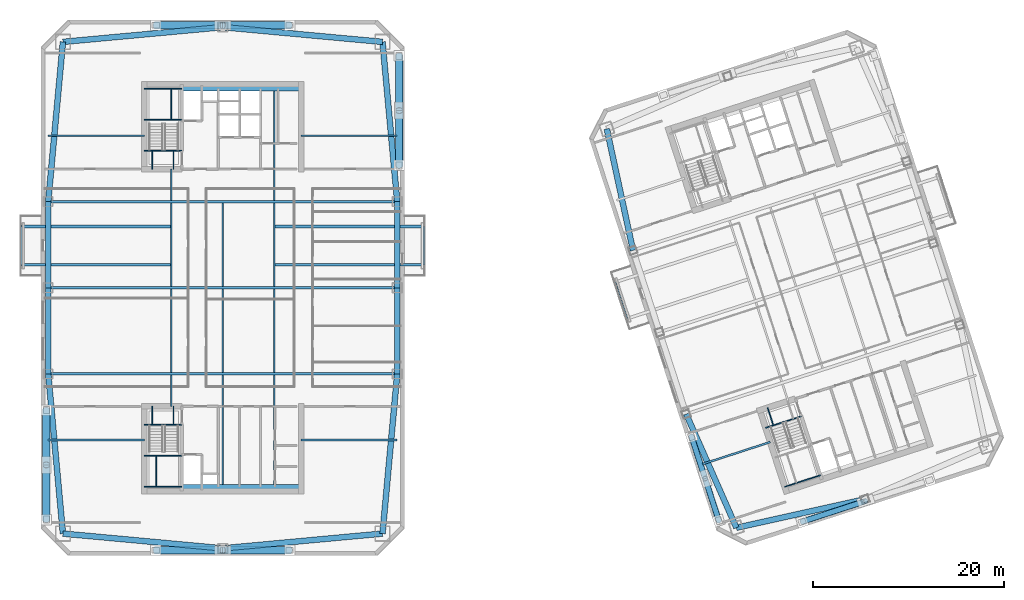
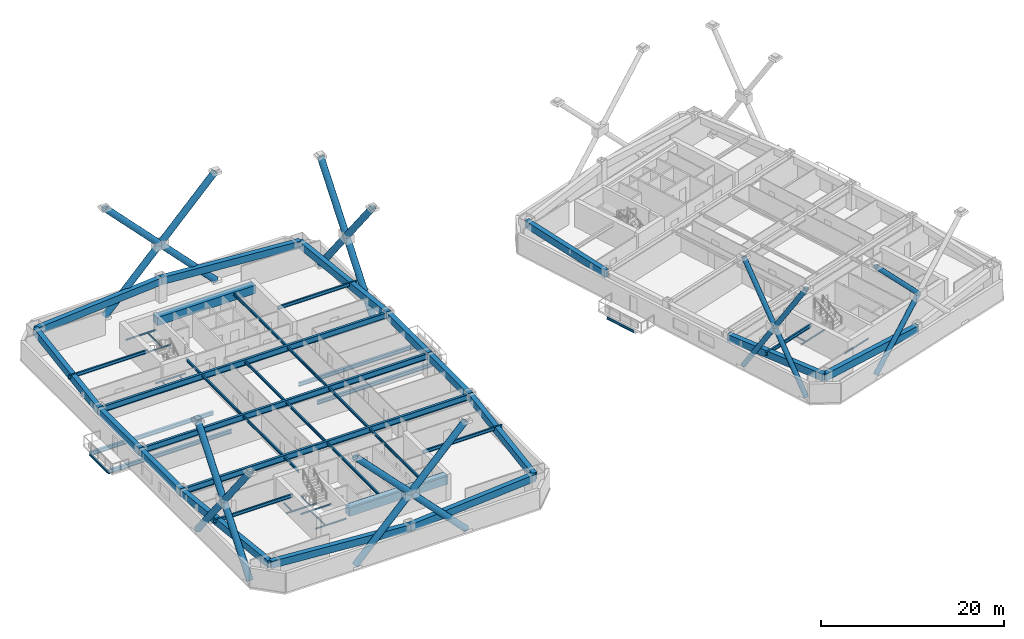
# One storey, part 3 of 17: 58 beams, 22 members.
"""IFC4 building model written with IfcOpenShell, lengths in metres."""

from ifc_helpers import new_model, si_unit, direction, frame, origin, origin_2d, place, context, subcontext, project, spatial, rectangle, hollow_circle, i_section, extrude, material, material_profile, profile_set, type_object, element, save


model = new_model("IFC4")

# Units and contexts
model_context = context("Model", 3, precision=1e-05, world=origin(), true_north=direction((0.0, 1.0)))
body_context = subcontext(model_context, "Body", "Model", "MODEL_VIEW")
ifc_project = project(units=[si_unit("LENGTHUNIT", "METRE"), si_unit("AREAUNIT", "SQUARE_METRE"), si_unit("VOLUMEUNIT", "CUBIC_METRE"), si_unit("PLANEANGLEUNIT", "RADIAN"), si_unit("MASSUNIT", "GRAM", prefix="KILO")], contexts=[model_context])

# Site, building, storey
site_placement = place(None, origin())
site = spatial("IfcSite", under=ifc_project, at=site_placement, CompositionType="ELEMENT")
building_placement = place(site_placement, origin())
building = spatial("IfcBuilding", under=site, at=building_placement, Name="Qiaolan Cultural Towers", CompositionType="ELEMENT")
storey_placement = place(building_placement, frame((0.0, 0.0, 134.550048828125)))
storey = spatial("IfcBuildingStorey", under=building, at=storey_placement, Name="L35", CompositionType="ELEMENT", Elevation=134.550048828125)

# Beams
ifc_material_1 = material(Name="Steel Q355B", Category="steel")
ifc_material_profile_1 = material_profile(ifc_material_1, i_section(OverallWidth=0.300048828125, OverallDepth=0.488037109375, WebThickness=0.010986328125, FlangeThickness=0.01806640625, at=origin_2d()), Name="HM488x300x11x18")
ifc_profile_set_1 = profile_set([ifc_material_profile_1], Name="Steel Q355B")
beam_type_1 = type_object("IfcBeamType", Name="BM-HM488x300x11x18", PredefinedType="BEAM", material=ifc_profile_set_1)
for number, where, z_axis, x_axis, name in (
    (1, (24.60009765625, 36.39990234375, -0.524169921875), (-1.0, 0.0, 0.0), (0.0, -1.0, 0.0), "L35 T1 Tree Balcony Back-Spanned Bracket Beam"),
    (2, (24.60009765625, 40.39990234375, -0.524169921875), (-1.0, 0.0, 0.0), (0.0, -1.0, 0.0), "L35 T1 Tree Balcony Back-Spanned Bracket Beam"),
    (3, (35.39990234375, 36.39990234375, -0.524169921875), (1.0, 0.0, 0.0), (0.0, 1.0, 0.0), "L35 T1 Tree Balcony Back-Spanned Bracket Beam"),
    (4, (35.39990234375, 40.39990234375, -0.524169921875), (1.0, 0.0, 0.0), (0.0, 1.0, 0.0), "L35 T1 Tree Balcony Back-Spanned Bracket Beam"),
):
    element("IfcBeam", number, at=place(storey_placement, frame(where, z_axis=z_axis, x_axis=x_axis)), inside=storey, type_object=beam_type_1, Name=name, PredefinedType="BEAM", context=body_context, shape_type="SweptSolid", body=[
        extrude(i_section(OverallWidth=0.300048828125, OverallDepth=0.488037109375, WebThickness=0.010986328125, FlangeThickness=0.01806640625, at=origin_2d()), origin(), (0.0, 0.0, 1.0), 15.650146484375),
    ])
ifc_material_2 = material(Name="Steel Q355B", Category="steel")
ifc_material_profile_2 = material_profile(ifc_material_2, i_section(OverallWidth=0.300048828125, OverallDepth=0.800048828125, WebThickness=0.013916015625, FlangeThickness=0.02587890625, at=origin_2d()), Name="HN800x300x14x26")
ifc_profile_set_2 = profile_set([ifc_material_profile_2], Name="Steel Q355B")
beam_type_2 = type_object("IfcBeamType", Name="BM-HN800x300x14x26", PredefinedType="BEAM", material=ifc_profile_set_2)
for number, where, z_axis, x_axis, name in (
    (5, (11.75, 25.0, 2.77001953125), (1.0, 0.0, 0.0), (0.0, 1.0, 0.0), "L35 T1 Primary Transverse Girder V1"),
    (6, (11.75, 34.0, 2.77001953125), (1.0, 0.0, 0.0), (0.0, 1.0, 0.0), "L35 T1 Primary Transverse Girder V2"),
    (7, (11.75, 43.0, 2.77001953125), (1.0, 0.0, 0.0), (0.0, 1.0, 0.0), "L35 T1 Primary Transverse Girder V3"),
):
    element("IfcBeam", number, at=place(storey_placement, frame(where, z_axis=z_axis, x_axis=x_axis)), inside=storey, type_object=beam_type_2, Name=name, PredefinedType="BEAM", context=body_context, shape_type="SweptSolid", body=[
        extrude(i_section(OverallWidth=0.300048828125, OverallDepth=0.800048828125, WebThickness=0.013916015625, FlangeThickness=0.02587890625, at=origin_2d()), origin(), (0.0, 0.0, 1.0), 36.5),
    ])
ifc_material_3 = material(Name="Steel Q355B", Category="steel")
ifc_material_profile_3 = material_profile(ifc_material_3, i_section(OverallWidth=0.175048828125, OverallDepth=0.35009765625, WebThickness=0.007080078125, FlangeThickness=0.010986328125, at=origin_2d()), Name="HN350x175x7x11")
ifc_profile_set_3 = profile_set([ifc_material_profile_3], Name="Steel Q355B")
beam_type_3 = type_object("IfcBeamType", Name="BM-JST-HN350x175x7x11", PredefinedType="JOIST", material=ifc_profile_set_3)
for number, where, z_axis, x_axis, name in (
    (8, (8.949951171875, 36.39990234375, -0.524169921875), (0.0, 1.0, 0.0), (-1.0, 0.0, 0.0), "L35 T1 Tree Balcony Outer Edge Beam"),
    (9, (51.050048828125, 36.39990234375, -0.524169921875), (0.0, 1.0, 0.0), (-1.0, 0.0, 0.0), "L35 T1 Tree Balcony Outer Edge Beam"),
    (10, (72.281982421875, 30.7666015625, -0.524169921875), (-0.309022586479, 0.951054699292, 0.0), (-0.951054699292, -0.309022586479, 0.0), "L35 T2 Tree Balcony Outer Edge Beam"),
):
    element("IfcBeam", number, at=place(storey_placement, frame(where, z_axis=z_axis, x_axis=x_axis)), inside=storey, type_object=beam_type_3, Name=name, PredefinedType="JOIST", context=body_context, shape_type="SweptSolid", body=[
        extrude(i_section(OverallWidth=0.175048828125, OverallDepth=0.35009765625, WebThickness=0.007080078125, FlangeThickness=0.010986328125, at=origin_2d()), origin(), (0.0, 0.0, 1.0), 4.0),
    ])
beam_1_placement = place(storey_placement, frame((24.60009765625, 21.60009765625, 2.994873046875), z_axis=(0.0, 1.0, 0.0), x_axis=(-1.0, 0.0, 0.0)))
element("IfcBeam", 11, at=beam_1_placement, inside=storey, type_object=beam_type_3, Name="L35 T1 Secondary Floor Joist U1-1", PredefinedType="JOIST", context=body_context, shape_type="SweptSolid", body=[
    extrude(i_section(OverallWidth=0.175048828125, OverallDepth=0.35009765625, WebThickness=0.007080078125, FlangeThickness=0.010986328125, at=origin_2d()), origin(), (0.0, 0.0, 1.0), 3.25),
])
for number, where, z_axis, x_axis, name in (
    (12, (24.60009765625, 25.14990234375, 2.994873046875), (0.0, 1.0, 0.0), (-1.0, 0.0, 0.0), "L35 T1 Secondary Floor Joist U1-2"),
    (13, (24.60009765625, 34.14990234375, 2.994873046875), (0.0, 1.0, 0.0), (-1.0, 0.0, 0.0), "L35 T1 Secondary Floor Joist U1-3"),
):
    element("IfcBeam", number, at=place(storey_placement, frame(where, z_axis=z_axis, x_axis=x_axis)), inside=storey, type_object=beam_type_3, Name=name, PredefinedType="JOIST", context=body_context, shape_type="SweptSolid", body=[
        extrude(i_section(OverallWidth=0.175048828125, OverallDepth=0.35009765625, WebThickness=0.007080078125, FlangeThickness=0.010986328125, at=origin_2d()), origin(), (0.0, 0.0, 1.0), 8.7001953125),
    ])
beam_2_placement = place(storey_placement, frame((24.60009765625, 43.14990234375, 2.994873046875), z_axis=(0.0, 1.0, 0.0), x_axis=(-1.0, 0.0, 0.0)))
element("IfcBeam", 14, at=beam_2_placement, inside=storey, type_object=beam_type_3, Name="L35 T1 Secondary Floor Joist U1-4", PredefinedType="JOIST", context=body_context, shape_type="SweptSolid", body=[
    extrude(i_section(OverallWidth=0.175048828125, OverallDepth=0.35009765625, WebThickness=0.007080078125, FlangeThickness=0.010986328125, at=origin_2d()), origin(), (0.0, 0.0, 1.0), 3.25),
])
beam_3_placement = place(storey_placement, frame((30.0, 13.39990234375, 2.994873046875), z_axis=(0.0, 1.0, 0.0), x_axis=(-1.0, 0.0, 0.0)))
element("IfcBeam", 15, at=beam_3_placement, inside=storey, type_object=beam_type_3, Name="L35 T1 Secondary Floor Joist U2-1", PredefinedType="JOIST", context=body_context, shape_type="SweptSolid", body=[
    extrude(i_section(OverallWidth=0.175048828125, OverallDepth=0.35009765625, WebThickness=0.007080078125, FlangeThickness=0.010986328125, at=origin_2d()), origin(), (0.0, 0.0, 1.0), 11.4501953125),
])
for number, where, z_axis, x_axis, name in (
    (16, (30.0, 25.14990234375, 2.994873046875), (0.0, 1.0, 0.0), (-1.0, 0.0, 0.0), "L35 T1 Secondary Floor Joist U2-2"),
    (17, (30.0, 34.14990234375, 2.994873046875), (0.0, 1.0, 0.0), (-1.0, 0.0, 0.0), "L35 T1 Secondary Floor Joist U2-3"),
):
    element("IfcBeam", number, at=place(storey_placement, frame(where, z_axis=z_axis, x_axis=x_axis)), inside=storey, type_object=beam_type_3, Name=name, PredefinedType="JOIST", context=body_context, shape_type="SweptSolid", body=[
        extrude(i_section(OverallWidth=0.175048828125, OverallDepth=0.35009765625, WebThickness=0.007080078125, FlangeThickness=0.010986328125, at=origin_2d()), origin(), (0.0, 0.0, 1.0), 8.7001953125),
    ])
beam_4_placement = place(storey_placement, frame((35.39990234375, 13.39990234375, 2.994873046875), z_axis=(0.0, 1.0, 0.0), x_axis=(-1.0, 0.0, 0.0)))
element("IfcBeam", 18, at=beam_4_placement, inside=storey, type_object=beam_type_3, Name="L35 T1 Secondary Floor Joist U3-1", PredefinedType="JOIST", context=body_context, shape_type="SweptSolid", body=[
    extrude(i_section(OverallWidth=0.175048828125, OverallDepth=0.35009765625, WebThickness=0.007080078125, FlangeThickness=0.010986328125, at=origin_2d()), origin(), (0.0, 0.0, 1.0), 11.4501953125),
])
for number, where, z_axis, x_axis, name in (
    (19, (35.39990234375, 25.14990234375, 2.994873046875), (0.0, 1.0, 0.0), (-1.0, 0.0, 0.0), "L35 T1 Secondary Floor Joist U3-2"),
    (20, (35.39990234375, 34.14990234375, 2.994873046875), (0.0, 1.0, 0.0), (-1.0, 0.0, 0.0), "L35 T1 Secondary Floor Joist U3-3"),
):
    element("IfcBeam", number, at=place(storey_placement, frame(where, z_axis=z_axis, x_axis=x_axis)), inside=storey, type_object=beam_type_3, Name=name, PredefinedType="JOIST", context=body_context, shape_type="SweptSolid", body=[
        extrude(i_section(OverallWidth=0.175048828125, OverallDepth=0.35009765625, WebThickness=0.007080078125, FlangeThickness=0.010986328125, at=origin_2d()), origin(), (0.0, 0.0, 1.0), 8.7001953125),
    ])
beam_5_placement = place(storey_placement, frame((35.39990234375, 43.14990234375, 2.994873046875), z_axis=(0.0, 1.0, 0.0), x_axis=(-1.0, 0.0, 0.0)))
element("IfcBeam", 21, at=beam_5_placement, inside=storey, type_object=beam_type_3, Name="L35 T1 Secondary Floor Joist U3-4", PredefinedType="JOIST", context=body_context, shape_type="SweptSolid", body=[
    extrude(i_section(OverallWidth=0.175048828125, OverallDepth=0.35009765625, WebThickness=0.007080078125, FlangeThickness=0.010986328125, at=origin_2d()), origin(), (0.0, 0.0, 1.0), 11.4501953125),
])
ifc_material_4 = material(Name="Steel Q355B", Category="steel")
ifc_material_profile_4 = material_profile(ifc_material_4, i_section(OverallWidth=0.199951171875, OverallDepth=0.449951171875, WebThickness=0.009033203125, FlangeThickness=0.013916015625, at=origin_2d()), Name="HN450x200x9x14")
ifc_profile_set_4 = profile_set([ifc_material_profile_4], Name="Steel Q355B")
beam_type_4 = type_object("IfcBeamType", Name="BM-LNT-HN450x200x9x14", PredefinedType="LINTEL", material=ifc_profile_set_4)
for number, where, z_axis, x_axis, name in (
    (22, (21.800048828125, 18.10009765625, 2.945068359375), (-1.0, 0.0, 0.0), (0.0, -1.0, 0.0), "L35 T1 Core Flank Tie Lintel WS"),
    (23, (21.800048828125, 49.89990234375, 2.945068359375), (-1.0, 0.0, 0.0), (0.0, -1.0, 0.0), "L35 T1 Core Flank Tie Lintel WN"),
    (24, (38.199951171875, 18.10009765625, 2.945068359375), (1.0, 0.0, 0.0), (0.0, 1.0, 0.0), "L35 T1 Core Flank Tie Lintel ES"),
    (25, (38.199951171875, 49.89990234375, 2.945068359375), (1.0, 0.0, 0.0), (0.0, 1.0, 0.0), "L35 T1 Core Flank Tie Lintel EN"),
):
    element("IfcBeam", number, at=place(storey_placement, frame(where, z_axis=z_axis, x_axis=x_axis)), inside=storey, type_object=beam_type_4, Name=name, PredefinedType="LINTEL", context=body_context, shape_type="SweptSolid", body=[
        extrude(i_section(OverallWidth=0.199951171875, OverallDepth=0.449951171875, WebThickness=0.009033203125, FlangeThickness=0.013916015625, at=origin_2d()), origin(), (0.0, 0.0, 1.0), 10.050048828125),
    ])
beam_6_placement = place(storey_placement, frame((87.252685546875, 17.861083984375, 2.945068359375), z_axis=(-0.951064407856, -0.308992705592, 0.0), x_axis=(0.308992705592, -0.951064407856, 0.0)))
element("IfcBeam", 26, at=beam_6_placement, inside=storey, type_object=beam_type_4, Name="L35 T2 Core Flank Tie Lintel WS", PredefinedType="LINTEL", context=body_context, shape_type="SweptSolid", body=[
    extrude(i_section(OverallWidth=0.199951171875, OverallDepth=0.449951171875, WebThickness=0.009033203125, FlangeThickness=0.013916015625, at=origin_2d()), origin(), (0.0, 0.0, 1.0), 7.449951171875),
])
ifc_material_5 = material(Name="Concrete C50", Category="concrete")
ifc_material_profile_5 = material_profile(ifc_material_5, rectangle(XDim=0.89990234375, YDim=1.10009765625, at=origin_2d()), Name="RC900x1100")
ifc_profile_set_5 = profile_set([ifc_material_profile_5], Name="Concrete C50")
beam_type_5 = type_object("IfcBeamType", Name="BM-RC900x1100", PredefinedType="BEAM", material=ifc_profile_set_5)
for number, where, z_axis, x_axis, name in (
    (27, (25.719970703125, 12.949951171875, 2.619873046875), (1.0, 0.0, 0.0), (0.0, 1.0, 0.0), "L35 T1 Core Header Girder S"),
    (28, (25.719970703125, 55.050048828125, 2.619873046875), (1.0, 0.0, 0.0), (0.0, 1.0, 0.0), "L35 T1 Core Header Girder N"),
):
    element("IfcBeam", number, at=place(storey_placement, frame(where, z_axis=z_axis, x_axis=x_axis)), inside=storey, type_object=beam_type_5, Name=name, PredefinedType="BEAM", context=body_context, shape_type="SweptSolid", body=[
        extrude(rectangle(XDim=0.89990234375, YDim=1.10009765625, at=origin_2d()), origin(), (0.0, 0.0, 1.0), 12.47998046875),
    ])
ifc_material_6 = material(Name="Concrete C50", Category="concrete")
ifc_material_profile_6 = material_profile(ifc_material_6, rectangle(XDim=0.60009765625, YDim=0.949951171875, at=origin_2d()), Name="RC600x950")
ifc_profile_set_6 = profile_set([ifc_material_profile_6], Name="Concrete C50")
beam_type_6 = type_object("IfcBeamType", Name="BM-SPD-RC600x950", PredefinedType="SPANDREL", material=ifc_profile_set_6)
for number, where, z_axis, x_axis, name in (
    (29, (13.2900390625, 8.2900390625, 2.695068359375), (0.995779862064, -0.09177399582, 0.0), (0.09177399582, 0.995779862064, 0.0), "L35 T1 Perimeter Spandrel Beam 1"),
    (30, (30.0, 6.75, 2.695068359375), (0.995779862064, 0.09177399582, 0.0), (-0.09177399582, 0.995779862064, 0.0), "L35 T1 Perimeter Spandrel Beam 2"),
    (31, (46.7099609375, 8.2900390625, 2.695068359375), (0.09177399582, 0.995779862064, 0.0), (-0.995779862064, 0.09177399582, 0.0), "L35 T1 Perimeter Spandrel Beam 3"),
):
    element("IfcBeam", number, at=place(storey_placement, frame(where, z_axis=z_axis, x_axis=x_axis)), inside=storey, type_object=beam_type_6, Name=name, PredefinedType="SPANDREL", context=body_context, shape_type="SweptSolid", body=[
        extrude(rectangle(XDim=0.60009765625, YDim=0.949951171875, at=origin_2d()), origin(), (0.0, 0.0, 1.0), 16.78076171875),
    ])
for number, where, z_axis, x_axis, name in (
    (32, (48.25, 25.0, 2.695068359375), (0.0, 1.0, 0.0), (-1.0, 0.0, 0.0), "L35 T1 Perimeter Spandrel Beam 4"),
    (33, (48.25, 34.0, 2.695068359375), (0.0, 1.0, 0.0), (-1.0, 0.0, 0.0), "L35 T1 Perimeter Spandrel Beam 5"),
):
    element("IfcBeam", number, at=place(storey_placement, frame(where, z_axis=z_axis, x_axis=x_axis)), inside=storey, type_object=beam_type_6, Name=name, PredefinedType="SPANDREL", context=body_context, shape_type="SweptSolid", body=[
        extrude(rectangle(XDim=0.60009765625, YDim=0.949951171875, at=origin_2d()), origin(), (0.0, 0.0, 1.0), 9.0),
    ])
for number, where, z_axis, x_axis, name in (
    (34, (48.25, 43.0, 2.695068359375), (-0.09177399582, 0.995779862064, 0.0), (-0.995779862064, -0.09177399582, 0.0), "L35 T1 Perimeter Spandrel Beam 6"),
    (35, (46.7099609375, 59.7099609375, 2.695068359375), (-0.995779862064, 0.09177399582, 0.0), (-0.09177399582, -0.995779862064, 0.0), "L35 T1 Perimeter Spandrel Beam 7"),
    (36, (30.0, 61.25, 2.695068359375), (-0.995779862064, -0.09177399582, 0.0), (0.09177399582, -0.995779862064, 0.0), "L35 T1 Perimeter Spandrel Beam 8"),
    (37, (13.2900390625, 59.7099609375, 2.695068359375), (-0.09177399582, -0.995779862064, 0.0), (0.995779862064, -0.09177399582, 0.0), "L35 T1 Perimeter Spandrel Beam 9"),
):
    element("IfcBeam", number, at=place(storey_placement, frame(where, z_axis=z_axis, x_axis=x_axis)), inside=storey, type_object=beam_type_6, Name=name, PredefinedType="SPANDREL", context=body_context, shape_type="SweptSolid", body=[
        extrude(rectangle(XDim=0.60009765625, YDim=0.949951171875, at=origin_2d()), origin(), (0.0, 0.0, 1.0), 16.78076171875),
    ])
for number, where, z_axis, x_axis, name in (
    (38, (11.75, 43.0, 2.695068359375), (0.0, -1.0, 0.0), (1.0, 0.0, 0.0), "L35 T1 Perimeter Spandrel Beam 10"),
    (39, (11.75, 34.0, 2.695068359375), (0.0, -1.0, 0.0), (1.0, 0.0, 0.0), "L35 T1 Perimeter Spandrel Beam 11"),
):
    element("IfcBeam", number, at=place(storey_placement, frame(where, z_axis=z_axis, x_axis=x_axis)), inside=storey, type_object=beam_type_6, Name=name, PredefinedType="SPANDREL", context=body_context, shape_type="SweptSolid", body=[
        extrude(rectangle(XDim=0.60009765625, YDim=0.949951171875, at=origin_2d()), origin(), (0.0, 0.0, 1.0), 9.0),
    ])
beam_7_placement = place(storey_placement, frame((11.75, 25.0, 2.695068359375), z_axis=(0.09177399582, -0.995779862064, 0.0), x_axis=(0.995779862064, 0.09177399582, 0.0)))
element("IfcBeam", 40, at=beam_7_placement, inside=storey, type_object=beam_type_6, Name="L35 T1 Perimeter Spandrel Beam 12", PredefinedType="SPANDREL", context=body_context, shape_type="SweptSolid", body=[
    extrude(rectangle(XDim=0.60009765625, YDim=0.949951171875, at=origin_2d()), origin(), (0.0, 0.0, 1.0), 16.78076171875),
])
beam_8_placement = place(storey_placement, frame((83.71875, 8.900634765625, 2.695068359375), z_axis=(0.976265293399, 0.216578108094, 0.0), x_axis=(-0.216578108094, 0.976265293399, 0.0)))
element("IfcBeam", 41, at=beam_8_placement, inside=storey, type_object=beam_type_6, Name="L35 T2 Perimeter Spandrel Beam 1", PredefinedType="SPANDREL", context=body_context, shape_type="SweptSolid", body=[
    extrude(rectangle(XDim=0.60009765625, YDim=0.949951171875, at=origin_2d()), origin(), (0.0, 0.0, 1.0), 13.793212890625),
])
beam_9_placement = place(storey_placement, frame((70.165283203125, 50.61376953125, 2.695068359375), z_axis=(0.210832241173, -0.977522258612, 0.0), x_axis=(0.977522258612, 0.210832241173, 0.0)))
element("IfcBeam", 42, at=beam_9_placement, inside=storey, type_object=beam_type_6, Name="L35 T2 Perimeter Spandrel Beam 9", PredefinedType="SPANDREL", context=body_context, shape_type="SweptSolid", body=[
    extrude(rectangle(XDim=0.60009765625, YDim=0.949951171875, at=origin_2d()), origin(), (0.0, 0.0, 1.0), 12.997314453125),
])
beam_10_placement = place(storey_placement, frame((78.4677734375, 20.789794921875, 2.695068359375), z_axis=(0.404011070002, -0.914754095545, 0.0), x_axis=(0.914754095545, 0.404011070002, 0.0)))
element("IfcBeam", 43, at=beam_10_placement, inside=storey, type_object=beam_type_6, Name="L35 T2 Perimeter Spandrel Beam 12", PredefinedType="SPANDREL", context=body_context, shape_type="SweptSolid", body=[
    extrude(rectangle(XDim=0.60009765625, YDim=0.949951171875, at=origin_2d()), origin(), (0.0, 0.0, 1.0), 12.9970703125),
])
ifc_material_7 = material(Name="Steel Q355B", Category="steel")
ifc_material_profile_7 = material_profile(ifc_material_7, i_section(OverallWidth=0.10009765625, OverallDepth=0.199951171875, WebThickness=0.005615234375, FlangeThickness=0.008056640625, at=origin_2d()), Name="HN200x100x5.5x8")
ifc_profile_set_7 = profile_set([ifc_material_profile_7], Name="Steel Q355B")
beam_type_7 = type_object("IfcBeamType", Name="BM-STTRIM-200", PredefinedType="BEAM", material=ifc_profile_set_7)
beam_11_placement = place(storey_placement, frame((21.800048828125, 19.659912109375, -0.4599609375), z_axis=(1.0, 0.0, 0.0), x_axis=(0.0, 1.0, 0.0)))
element("IfcBeam", 44, at=beam_11_placement, inside=storey, type_object=beam_type_7, Name="L35 ST-W1 Floor Landing Header Beam", PredefinedType="BEAM", context=body_context, shape_type="SweptSolid", body=[
    extrude(i_section(OverallWidth=0.10009765625, OverallDepth=0.199951171875, WebThickness=0.005615234375, FlangeThickness=0.008056640625, at=origin_2d()), origin(), (0.0, 0.0, 1.0), 3.919921875),
])
for number, where, z_axis, x_axis, name in (
    (45, (22.64990234375, 21.60009765625, -0.4599609375), (0.0, -1.0, 0.0), (1.0, 0.0, 0.0), "L35 ST-W1 Floor Landing Stringer 1"),
    (46, (24.85009765625, 21.60009765625, -0.4599609375), (0.0, -1.0, 0.0), (1.0, 0.0, 0.0), "L35 ST-W1 Floor Landing Stringer 2"),
):
    element("IfcBeam", number, at=place(storey_placement, frame(where, z_axis=z_axis, x_axis=x_axis)), inside=storey, type_object=beam_type_7, Name=name, PredefinedType="BEAM", context=body_context, shape_type="SweptSolid", body=[
        extrude(i_section(OverallWidth=0.10009765625, OverallDepth=0.199951171875, WebThickness=0.005615234375, FlangeThickness=0.008056640625, at=origin_2d()), origin(), (0.0, 0.0, 1.0), 1.940185546875),
    ])
for number, where, z_axis, x_axis, name in (
    (47, (21.800048828125, 16.411376953125, 1.425048828125), (1.0, 0.0, 0.0), (0.0, 1.0, 0.0), "L35 ST-W1 Stair Landing Support Beam 1-1"),
    (48, (21.800048828125, 13.179931640625, 1.425048828125), (1.0, 0.0, 0.0), (0.0, 1.0, 0.0), "L35 ST-W1 Stair Landing Support Beam 1-2"),
):
    element("IfcBeam", number, at=place(storey_placement, frame(where, z_axis=z_axis, x_axis=x_axis)), inside=storey, type_object=beam_type_7, Name=name, PredefinedType="BEAM", context=body_context, shape_type="SweptSolid", body=[
        extrude(i_section(OverallWidth=0.10009765625, OverallDepth=0.199951171875, WebThickness=0.005615234375, FlangeThickness=0.008056640625, at=origin_2d()), origin(), (0.0, 0.0, 1.0), 3.919921875),
    ])
beam_12_placement = place(storey_placement, frame((23.070068359375, 16.411376953125, 1.425048828125), z_axis=(0.0, -1.0, 0.0), x_axis=(1.0, 0.0, 0.0)))
element("IfcBeam", 49, at=beam_12_placement, inside=storey, type_object=beam_type_7, Name="L35 ST-W1 Stair Landing Trimmer 1", PredefinedType="BEAM", context=body_context, shape_type="SweptSolid", body=[
    extrude(i_section(OverallWidth=0.10009765625, OverallDepth=0.199951171875, WebThickness=0.005615234375, FlangeThickness=0.008056640625, at=origin_2d()), origin(), (0.0, 0.0, 1.0), 3.2314453125),
])
beam_13_placement = place(storey_placement, frame((21.800048828125, 48.340087890625, -0.4599609375), z_axis=(1.0, 0.0, 0.0), x_axis=(0.0, 1.0, 0.0)))
element("IfcBeam", 50, at=beam_13_placement, inside=storey, type_object=beam_type_7, Name="L35 ST-W2 Floor Landing Header Beam", PredefinedType="BEAM", context=body_context, shape_type="SweptSolid", body=[
    extrude(i_section(OverallWidth=0.10009765625, OverallDepth=0.199951171875, WebThickness=0.005615234375, FlangeThickness=0.008056640625, at=origin_2d()), origin(), (0.0, 0.0, 1.0), 3.919921875),
])
for number, where, z_axis, x_axis, name in (
    (51, (22.64990234375, 46.39990234375, -0.4599609375), (0.0, 1.0, 0.0), (-1.0, 0.0, 0.0), "L35 ST-W2 Floor Landing Stringer 1"),
    (52, (24.85009765625, 46.39990234375, -0.4599609375), (0.0, 1.0, 0.0), (-1.0, 0.0, 0.0), "L35 ST-W2 Floor Landing Stringer 2"),
):
    element("IfcBeam", number, at=place(storey_placement, frame(where, z_axis=z_axis, x_axis=x_axis)), inside=storey, type_object=beam_type_7, Name=name, PredefinedType="BEAM", context=body_context, shape_type="SweptSolid", body=[
        extrude(i_section(OverallWidth=0.10009765625, OverallDepth=0.199951171875, WebThickness=0.005615234375, FlangeThickness=0.008056640625, at=origin_2d()), origin(), (0.0, 0.0, 1.0), 1.940185546875),
    ])
for number, where, z_axis, x_axis, name in (
    (53, (21.800048828125, 51.588623046875, 1.425048828125), (1.0, 0.0, 0.0), (0.0, 1.0, 0.0), "L35 ST-W2 Stair Landing Support Beam 1-1"),
    (54, (21.800048828125, 54.820068359375, 1.425048828125), (1.0, 0.0, 0.0), (0.0, 1.0, 0.0), "L35 ST-W2 Stair Landing Support Beam 1-2"),
):
    element("IfcBeam", number, at=place(storey_placement, frame(where, z_axis=z_axis, x_axis=x_axis)), inside=storey, type_object=beam_type_7, Name=name, PredefinedType="BEAM", context=body_context, shape_type="SweptSolid", body=[
        extrude(i_section(OverallWidth=0.10009765625, OverallDepth=0.199951171875, WebThickness=0.005615234375, FlangeThickness=0.008056640625, at=origin_2d()), origin(), (0.0, 0.0, 1.0), 3.919921875),
    ])
beam_14_placement = place(storey_placement, frame((24.610107421875, 51.588623046875, 1.425048828125), z_axis=(0.0, 1.0, 0.0), x_axis=(-1.0, 0.0, 0.0)))
element("IfcBeam", 55, at=beam_14_placement, inside=storey, type_object=beam_type_7, Name="L35 ST-W2 Stair Landing Trimmer 1", PredefinedType="BEAM", context=body_context, shape_type="SweptSolid", body=[
    extrude(i_section(OverallWidth=0.10009765625, OverallDepth=0.199951171875, WebThickness=0.005615234375, FlangeThickness=0.008056640625, at=origin_2d()), origin(), (0.0, 0.0, 1.0), 3.2314453125),
])
beam_15_placement = place(storey_placement, frame((86.770751953125, 19.3447265625, -0.4599609375), z_axis=(0.951047798727, 0.309043823005, 0.0), x_axis=(-0.309043823005, 0.951047798727, 0.0)))
element("IfcBeam", 56, at=beam_15_placement, inside=storey, type_object=beam_type_7, Name="L35 ST-E1 Floor Landing Header Beam", PredefinedType="BEAM", context=body_context, shape_type="SweptSolid", body=[
    extrude(i_section(OverallWidth=0.10009765625, OverallDepth=0.199951171875, WebThickness=0.005615234375, FlangeThickness=0.008056640625, at=origin_2d()), origin(), (0.0, 0.0, 1.0), 3.919921875),
])
beam_16_placement = place(storey_placement, frame((86.9794921875, 21.452392578125, -0.4599609375), z_axis=(0.309083226701, -0.951034993558, 0.0), x_axis=(0.951034993558, 0.309083226701, 0.0)))
element("IfcBeam", 57, at=beam_16_placement, inside=storey, type_object=beam_type_7, Name="L35 ST-E1 Floor Landing Stringer 1", PredefinedType="BEAM", context=body_context, shape_type="SweptSolid", body=[
    extrude(i_section(OverallWidth=0.10009765625, OverallDepth=0.199951171875, WebThickness=0.005615234375, FlangeThickness=0.008056640625, at=origin_2d()), origin(), (0.0, 0.0, 1.0), 1.93994140625),
])
beam_17_placement = place(storey_placement, frame((88.773193359375, 13.181884765625, 1.425048828125), z_axis=(0.951047798727, 0.309043823005, 0.0), x_axis=(-0.309043823005, 0.951047798727, 0.0)))
element("IfcBeam", 58, at=beam_17_placement, inside=storey, type_object=beam_type_7, Name="L35 ST-E1 Stair Landing Support Beam 1-2", PredefinedType="BEAM", context=body_context, shape_type="SweptSolid", body=[
    extrude(i_section(OverallWidth=0.10009765625, OverallDepth=0.199951171875, WebThickness=0.005615234375, FlangeThickness=0.008056640625, at=origin_2d()), origin(), (0.0, 0.0, 1.0), 3.919921875),
])

# Members
ifc_material_8 = material(Name="Steel Q355B", Category="steel")
ifc_material_profile_8 = material_profile(ifc_material_8, hollow_circle(Radius=0.300048828125, WallThickness=0.030029296875, at=origin_2d()), Name="CHS600x30")
ifc_profile_set_8 = profile_set([ifc_material_profile_8], Name="Steel Q355B")
member_type_1 = type_object("IfcMemberType", Name="MBR-BRC-CHS600x30", PredefinedType="BRACE", material=ifc_profile_set_8)
for number, where, z_axis, x_axis, name in (
    (59, (81.877685546875, 9.648193359375, 0.14990234375), (-0.166193246914, 0.511497049821, 0.843060242631), (-0.951057728941, -0.309013262209, 0.0), "T2 WEST Perimeter Frame Diagonal E-Z3-M1-D1A"),
    (60, (80.448486328125, 14.046875, 7.39990234375), (-0.166193246914, 0.511497049821, 0.843060242631), (-0.951057728941, -0.309013262209, 0.0), "T2 WEST Perimeter Frame Diagonal E-Z3-M1-D1B"),
    (61, (79.019287109375, 18.445556640625, 0.14990234375), (0.166193246914, -0.511497049821, 0.843060242631), (0.951057728941, 0.309013262209, 0.0), "T2 WEST Perimeter Frame Diagonal E-Z3-M1-D2A"),
    (62, (80.448486328125, 14.046875, 7.39990234375), (0.166193246914, -0.511497049821, 0.843060242631), (0.951057728941, 0.309013262209, 0.0), "T2 WEST Perimeter Frame Diagonal E-Z3-M1-D2B"),
):
    element("IfcMember", number, at=place(storey_placement, frame(where, z_axis=z_axis, x_axis=x_axis)), inside=storey, type_object=member_type_1, Name=name, PredefinedType="BRACE", context=body_context, shape_type="SweptSolid", body=[
        extrude(hollow_circle(Radius=0.300048828125, WallThickness=0.030029296875, at=origin_2d()), origin(), (0.0, 0.0, 1.0), 8.599609375),
    ])
for number, where, z_axis, x_axis, name in (
    (63, (90.589111328125, 9.53466796875, 0.14990234375), (0.660589648575, 0.214640761566, 0.71940993854), (-0.309019824916, 0.951055596592, 0.0), "T2 SOUTH Perimeter Frame Diagonal E-Z3-M1-D1A"),
    (64, (97.246337890625, 11.69775390625, 7.39990234375), (-0.660589648575, -0.214640761566, 0.71940993854), (0.309019824916, -0.951055596592, 0.0), "T2 SOUTH Perimeter Frame Diagonal E-Z3-M1-D2B"),
):
    element("IfcMember", number, at=place(storey_placement, frame(where, z_axis=z_axis, x_axis=x_axis)), inside=storey, type_object=member_type_1, Name=name, PredefinedType="BRACE", context=body_context, shape_type="SweptSolid", body=[
        extrude(hollow_circle(Radius=0.300048828125, WallThickness=0.030029296875, at=origin_2d()), origin(), (0.0, 0.0, 1.0), 10.07763671875),
    ])
ifc_material_9 = material(Name="Steel Q390GJB", Category="steel")
ifc_material_profile_9 = material_profile(ifc_material_9, hollow_circle(Radius=0.39990234375, WallThickness=0.0400390625, at=origin_2d()), Name="CHS800x40")
ifc_profile_set_9 = profile_set([ifc_material_profile_9], Name="Steel Q390GJB")
member_type_2 = type_object("IfcMemberType", Name="MBR-BRC-CHS800x40", PredefinedType="BRACE", material=ifc_profile_set_9)
member_1_placement = place(storey_placement, frame((11.550048828125, 9.75, 0.14990234375), z_axis=(0.0, 0.619738541266, 0.78480834633), x_axis=(-1.0, 0.0, 0.0)))
element("IfcMember", 65, at=member_1_placement, inside=storey, type_object=member_type_2, Name="T1 WEST Perimeter Frame Diagonal W-Z2-M4-D1A", PredefinedType="BRACE", context=body_context, shape_type="SweptSolid", body=[
    extrude(hollow_circle(Radius=0.39990234375, WallThickness=0.0400390625, at=origin_2d()), origin(), (0.0, 0.0, 1.0), 9.238037109375),
])
for number, where, z_axis, x_axis, name in (
    (66, (11.550048828125, 15.47509765625, 7.39990234375), (0.0, 0.619722263172, 0.784821200356), (-1.0, 0.0, 0.0), "T1 WEST Perimeter Frame Diagonal W-Z2-M4-D1B"),
    (67, (11.550048828125, 21.199951171875, 0.14990234375), (0.0, -0.619722263172, 0.784821200356), (1.0, 0.0, 0.0), "T1 WEST Perimeter Frame Diagonal W-Z2-M4-D2A"),
):
    element("IfcMember", number, at=place(storey_placement, frame(where, z_axis=z_axis, x_axis=x_axis)), inside=storey, type_object=member_type_2, Name=name, PredefinedType="BRACE", context=body_context, shape_type="SweptSolid", body=[
        extrude(hollow_circle(Radius=0.39990234375, WallThickness=0.0400390625, at=origin_2d()), origin(), (0.0, 0.0, 1.0), 9.23779296875),
    ])
member_2_placement = place(storey_placement, frame((11.550048828125, 15.47509765625, 7.39990234375), z_axis=(0.0, -0.619738541266, 0.78480834633), x_axis=(1.0, 0.0, 0.0)))
element("IfcMember", 68, at=member_2_placement, inside=storey, type_object=member_type_2, Name="T1 WEST Perimeter Frame Diagonal W-Z2-M4-D2B", PredefinedType="BRACE", context=body_context, shape_type="SweptSolid", body=[
    extrude(hollow_circle(Radius=0.39990234375, WallThickness=0.0400390625, at=origin_2d()), origin(), (0.0, 0.0, 1.0), 9.238037109375),
])
member_3_placement = place(storey_placement, frame((48.449951171875, 46.800048828125, 0.14990234375), z_axis=(0.0, 0.619722263172, 0.784821200356), x_axis=(-1.0, 0.0, 0.0)))
element("IfcMember", 69, at=member_3_placement, inside=storey, type_object=member_type_2, Name="T1 EAST Perimeter Frame Diagonal W-Z2-M4-D1A", PredefinedType="BRACE", context=body_context, shape_type="SweptSolid", body=[
    extrude(hollow_circle(Radius=0.39990234375, WallThickness=0.0400390625, at=origin_2d()), origin(), (0.0, 0.0, 1.0), 9.23779296875),
])
for number, where, z_axis, x_axis, name in (
    (70, (48.449951171875, 52.52490234375, 7.39990234375), (0.0, 0.619738541266, 0.78480834633), (-1.0, 0.0, 0.0), "T1 EAST Perimeter Frame Diagonal W-Z2-M4-D1B"),
    (71, (48.449951171875, 58.25, 0.14990234375), (0.0, -0.619738541266, 0.78480834633), (1.0, 0.0, 0.0), "T1 EAST Perimeter Frame Diagonal W-Z2-M4-D2A"),
):
    element("IfcMember", number, at=place(storey_placement, frame(where, z_axis=z_axis, x_axis=x_axis)), inside=storey, type_object=member_type_2, Name=name, PredefinedType="BRACE", context=body_context, shape_type="SweptSolid", body=[
        extrude(hollow_circle(Radius=0.39990234375, WallThickness=0.0400390625, at=origin_2d()), origin(), (0.0, 0.0, 1.0), 9.238037109375),
    ])
member_4_placement = place(storey_placement, frame((48.449951171875, 52.52490234375, 7.39990234375), z_axis=(0.0, -0.619722263172, 0.784821200356), x_axis=(1.0, 0.0, 0.0)))
element("IfcMember", 72, at=member_4_placement, inside=storey, type_object=member_type_2, Name="T1 EAST Perimeter Frame Diagonal W-Z2-M4-D2B", PredefinedType="BRACE", context=body_context, shape_type="SweptSolid", body=[
    extrude(hollow_circle(Radius=0.39990234375, WallThickness=0.0400390625, at=origin_2d()), origin(), (0.0, 0.0, 1.0), 9.23779296875),
])
for number, where, z_axis, x_axis, name in (
    (73, (23.0, 6.550048828125, 0.14990234375), (0.6945945137, 0.0, 0.719401460617), (0.0, 1.0, 0.0), "T1 SOUTH Perimeter Frame Diagonal W-Z2-M4-D1A"),
    (74, (30.0, 6.550048828125, 7.39990234375), (0.6945945137, 0.0, 0.719401460617), (0.0, 1.0, 0.0), "T1 SOUTH Perimeter Frame Diagonal W-Z2-M4-D1B"),
    (75, (37.0, 6.550048828125, 0.14990234375), (-0.6945945137, 0.0, 0.719401460617), (0.0, -1.0, 0.0), "T1 SOUTH Perimeter Frame Diagonal W-Z2-M4-D2A"),
    (76, (30.0, 6.550048828125, 7.39990234375), (-0.6945945137, 0.0, 0.719401460617), (0.0, -1.0, 0.0), "T1 SOUTH Perimeter Frame Diagonal W-Z2-M4-D2B"),
    (77, (23.0, 61.449951171875, 0.14990234375), (0.6945945137, 0.0, 0.719401460617), (0.0, 1.0, 0.0), "T1 NORTH Perimeter Frame Diagonal W-Z2-M4-D1A"),
    (78, (30.0, 61.449951171875, 7.39990234375), (0.6945945137, 0.0, 0.719401460617), (0.0, 1.0, 0.0), "T1 NORTH Perimeter Frame Diagonal W-Z2-M4-D1B"),
    (79, (37.0, 61.449951171875, 0.14990234375), (-0.6945945137, 0.0, 0.719401460617), (0.0, -1.0, 0.0), "T1 NORTH Perimeter Frame Diagonal W-Z2-M4-D2A"),
    (80, (30.0, 61.449951171875, 7.39990234375), (-0.6945945137, 0.0, 0.719401460617), (0.0, -1.0, 0.0), "T1 NORTH Perimeter Frame Diagonal W-Z2-M4-D2B"),
):
    element("IfcMember", number, at=place(storey_placement, frame(where, z_axis=z_axis, x_axis=x_axis)), inside=storey, type_object=member_type_2, Name=name, PredefinedType="BRACE", context=body_context, shape_type="SweptSolid", body=[
        extrude(hollow_circle(Radius=0.39990234375, WallThickness=0.0400390625, at=origin_2d()), origin(), (0.0, 0.0, 1.0), 10.077880859375),
    ])

save(model, "model.ifc")
